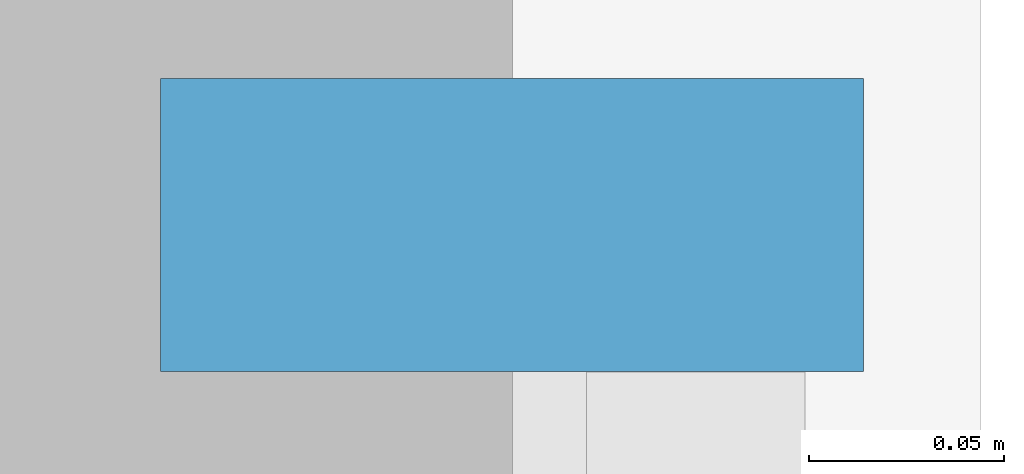
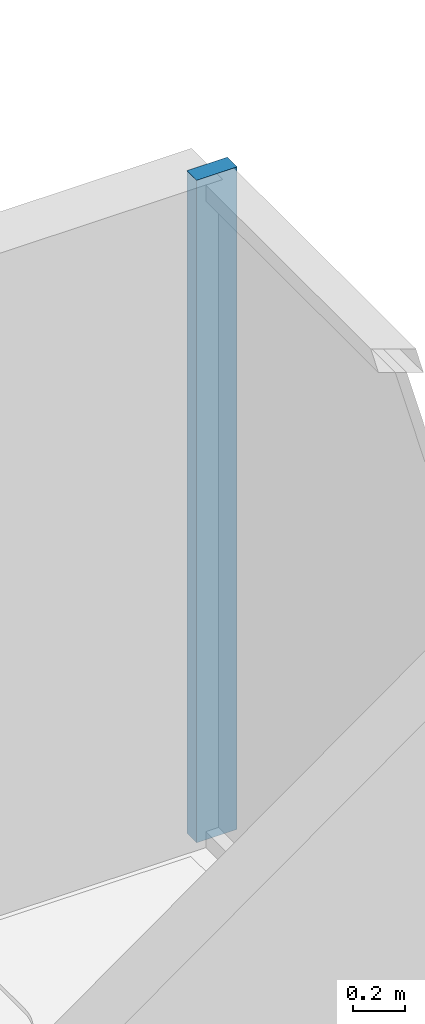
# One storey, part 6 of 13: 1 member, 1 element without a shape of its own.
"""IFC4 building model written with IfcOpenShell, lengths in metres."""

import ifcopenshell
import ifcopenshell.guid

model = None  # the IFC model being written
_history = None  # IfcOwnerHistory: only IFC2X3 demands one
_inside = {}  # id of a spatial element -> (the spatial element, [elements in it])
_under = {}  # id of a project, library or spatial element -> (it, [spatial elements below it])
_declared = {}  # id of a project -> (the project, [libraries it declares])
_typed = {}  # id of a type object -> (the type object, [elements of that type])
_made_of = {}  # id of a material, layer set ... -> (it, [elements and type objects made of it])


def new_model(schema):
    """Start an empty IFC model of exactly this schema.

    Asked for "IFC4X3", IfcOpenShell would pick the latest addendum, in which some entities
    have other attributes; the version numbers below select the first issue.
    IFC2X3 requires an IfcOwnerHistory on every rooted entity: one is made here for all.
    """
    global model, _history
    if schema == "IFC4X3":
        model = ifcopenshell.file(schema_version=(4, 3, 0, 0))
    else:
        model = ifcopenshell.file(schema=schema)
    _inside.clear()
    _under.clear()
    _declared.clear()
    _typed.clear()
    _made_of.clear()
    _history = None
    if model.schema == "IFC2X3":
        org = make("IfcOrganization", Name="unknown")
        user = make(
            "IfcPersonAndOrganization",
            ThePerson=make("IfcPerson", FamilyName="unknown"),
            TheOrganization=org,
        )
        app = make(
            "IfcApplication",
            ApplicationDeveloper=org,
            Version="unknown",
            ApplicationFullName="unknown",
            ApplicationIdentifier="unknown",
        )
        _history = make(
            "IfcOwnerHistory",
            OwningUser=user,
            OwningApplication=app,
            ChangeAction="ADDED",
            CreationDate=0,
        )
    return model


def make(cls, **values):
    """One entity of the class cls with the attributes given. An attribute that is None is left unset."""
    return model.create_entity(
        cls, **{name: value for name, value in values.items() if value is not None}
    )


def rooted(cls, **values):
    """An entity with a GlobalId (a new one), such as an element, a storey or a relation."""
    return make(cls, GlobalId=ifcopenshell.guid.new(), OwnerHistory=_history, **values)


def si_unit(unit_type, name, prefix=None):
    """IfcSIUnit, for example si_unit("LENGTHUNIT", "METRE", prefix="MILLI")."""
    return make("IfcSIUnit", UnitType=unit_type, Prefix=prefix, Name=name)


def assignment(units):
    """IfcUnitAssignment: the units of a project."""
    return None if units is None else make("IfcUnitAssignment", Units=units)


def point(xyz):
    """IfcCartesianPoint."""
    return None if xyz is None else make("IfcCartesianPoint", Coordinates=xyz)


def direction(xyz):
    """IfcDirection."""
    return None if xyz is None else make("IfcDirection", DirectionRatios=xyz)


def frame(location, z_axis=None, x_axis=None):
    """IfcAxis2Placement3D, a coordinate frame: its origin and axes. An axis left out is left unset."""
    return make(
        "IfcAxis2Placement3D",
        Location=point(location),
        Axis=direction(z_axis),
        RefDirection=direction(x_axis),
    )


def frame_2d(location, x_axis=None):
    """IfcAxis2Placement2D, a coordinate frame in the plane: its origin and x axis."""
    return make(
        "IfcAxis2Placement2D", Location=point(location), RefDirection=direction(x_axis)
    )


def origin():
    """The frame at (0, 0, 0) with its axes left unset."""
    return frame((0.0, 0.0, 0.0))


def origin_2d():
    """The frame at (0, 0) in the plane with its x axis left unset."""
    return frame_2d((0.0, 0.0))


def place(relative_to, where):
    """IfcLocalPlacement: puts the frame where relative to a parent placement (None: the world)."""
    return make(
        "IfcLocalPlacement", PlacementRelTo=relative_to, RelativePlacement=where
    )


def context(
    kind, dimensions, precision=None, world=None, true_north=None, identifier=None
):
    """IfcGeometricRepresentationContext, for example the 3D "Model" context."""
    return make(
        "IfcGeometricRepresentationContext",
        ContextIdentifier=identifier,
        ContextType=kind,
        CoordinateSpaceDimension=dimensions,
        Precision=precision,
        WorldCoordinateSystem=world,
        TrueNorth=true_north,
    )


def subcontext(parent, identifier, kind, view, scale=None):
    """IfcGeometricRepresentationSubContext, for example "Body" below "Model"."""
    return make(
        "IfcGeometricRepresentationSubContext",
        ContextIdentifier=identifier,
        ContextType=kind,
        ParentContext=parent,
        TargetScale=scale,
        TargetView=view,
    )


def project(units=None, contexts=None):
    """IfcProject with its units and contexts."""
    return rooted(
        "IfcProject",
        Name="project",
        RepresentationContexts=contexts,
        UnitsInContext=assignment(units),
    )


def spatial(cls, under=None, at=None, **own):
    """A site, building, storey or space (cls), placed at a placement, below another one or the project."""
    s = rooted(cls, ObjectPlacement=at, **own)
    if under is not None:
        _under.setdefault(under.id(), (under, []))[1].append(s)
    return s


def profile(cls, at=None, kind="AREA", **sizes):
    """A parametric profile (cls). Its sizes go by their IFC names, for example OverallWidth=200.0."""
    return make(cls, ProfileType=kind, Position=at, **sizes)


def rectangle(**sizes):
    """IfcRectangleProfileDef."""
    return profile("IfcRectangleProfileDef", **sizes)


def extrude(swept, where, along, depth):
    """IfcExtrudedAreaSolid: the profile swept, set in the frame where, extruded along a direction by depth."""
    return make(
        "IfcExtrudedAreaSolid",
        SweptArea=swept,
        Position=where,
        ExtrudedDirection=direction(along),
        Depth=depth,
    )


def shape(context_of_items, identifier, shape_type, items):
    """IfcShapeRepresentation: the items that make up one representation, for example the "Body"."""
    return make(
        "IfcShapeRepresentation",
        ContextOfItems=context_of_items,
        RepresentationIdentifier=identifier,
        RepresentationType=shape_type,
        Items=items,
    )


def source(mapping_origin, context_of_items, identifier, shape_type, items):
    """IfcRepresentationMap: a shape defined once, which mapped items show again and again."""
    return make(
        "IfcRepresentationMap",
        MappingOrigin=mapping_origin,
        MappedRepresentation=shape(context_of_items, identifier, shape_type, items),
    )


def transform(
    local_origin,
    x_axis=None,
    y_axis=None,
    z_axis=None,
    scale=None,
    scale2=None,
    scale3=None,
    uniform=True,
):
    """IfcCartesianTransformationOperator3D, or its non-uniform kind. x_axis, y_axis, z_axis: its Axis1, 2, 3."""
    if uniform:
        return make(
            "IfcCartesianTransformationOperator3D",
            Axis1=direction(x_axis),
            Axis2=direction(y_axis),
            LocalOrigin=point(local_origin),
            Scale=scale,
            Axis3=direction(z_axis),
        )
    return make(
        "IfcCartesianTransformationOperator3DnonUniform",
        Axis1=direction(x_axis),
        Axis2=direction(y_axis),
        LocalOrigin=point(local_origin),
        Scale=scale,
        Axis3=direction(z_axis),
        Scale2=scale2,
        Scale3=scale3,
    )


def mapped(mapping_source, mapping_target):
    """IfcMappedItem: shows the shape of a source again, moved by a transform."""
    return make(
        "IfcMappedItem", MappingSource=mapping_source, MappingTarget=mapping_target
    )


def material(Name=None, Category=None):
    """IfcMaterial."""
    return make("IfcMaterial", Name=Name, Category=Category)


def layer(
    of_material, thickness, ventilated=None, Name=None, Category=None, Priority=None
):
    """IfcMaterialLayer: one layer of a wall or slab, of a material (None: an air gap)."""
    return make(
        "IfcMaterialLayer",
        Material=of_material,
        LayerThickness=thickness,
        IsVentilated=ventilated,
        Name=Name,
        Category=Category,
        Priority=Priority,
    )


def layer_set(layers, Name=None):
    """IfcMaterialLayerSet."""
    return make("IfcMaterialLayerSet", MaterialLayers=layers, LayerSetName=Name)


def material_profile(
    of_material, cross_section, Name=None, Category=None, Priority=None
):
    """IfcMaterialProfile: a cross section and its material."""
    return make(
        "IfcMaterialProfile",
        Name=Name,
        Material=of_material,
        Profile=cross_section,
        Priority=Priority,
        Category=Category,
    )


def profile_set(profiles, Name=None, composite=None):
    """IfcMaterialProfileSet."""
    return make(
        "IfcMaterialProfileSet",
        Name=Name,
        MaterialProfiles=profiles,
        CompositeProfile=composite,
    )


def made_of(thing, what):
    """Note that an element or type object is made of a material, layer set ...; save() writes the relation."""
    if what is not None:
        _made_of.setdefault(what.id(), (what, []))[1].append(thing)
    return thing


def type_object(cls, material=None, **own):
    """A type object (cls), such as IfcWallType, which elements share."""
    return made_of(rooted(cls, **own), material)


def element(
    cls,
    number,
    at=None,
    inside=None,
    cuts=None,
    type_object=None,
    material=None,
    context=None,
    identifier="Body",
    shape_type=None,
    held_by="IfcProductDefinitionShape",
    body=None,
    shapes=None,
    **own,
):
    """One element of the class cls, such as IfcWall. Its Tag is "e" and its number.

    at: its placement. inside: the storey or other place that contains it. cuts: it is an
    opening in that element (IfcRelVoidsElement). A single representation is given by context,
    identifier, shape_type and body (its items); several are given by shapes. held_by: the class
    of the entity that holds the representations. save() writes the other relations.
    """
    e = rooted(cls, Tag="e%d" % number, ObjectPlacement=at, **own)
    if body is not None:
        shapes = [shape(context, identifier, shape_type, body)]
    if shapes is not None:
        e.Representation = make(held_by, Representations=shapes)
    if inside is not None:
        _inside.setdefault(inside.id(), (inside, []))[1].append(e)
    if cuts is not None:
        rooted(
            "IfcRelVoidsElement", RelatingBuildingElement=cuts, RelatedOpeningElement=e
        )
    if type_object is not None:
        _typed.setdefault(type_object.id(), (type_object, []))[1].append(e)
    return made_of(e, material)


def aggregate(whole, parts):
    """IfcRelAggregates: a whole, such as a stair, and the parts it consists of."""
    return rooted("IfcRelAggregates", RelatingObject=whole, RelatedObjects=parts)


def save(model, path):
    """Write the relations noted so far, then the file.

    IfcRelAggregates (storeys below a building ...), IfcRelContainedInSpatialStructure (elements
    in a storey), IfcRelDefinesByType, IfcRelAssociatesMaterial and IfcRelDeclares: one each for
    every whole, place, type object, material and project.
    """
    for whole, parts in _under.values():
        aggregate(whole, parts)
    for where, things in _inside.values():
        rooted(
            "IfcRelContainedInSpatialStructure",
            RelatedElements=things,
            RelatingStructure=where,
        )
    for kind, things in _typed.values():
        rooted("IfcRelDefinesByType", RelatedObjects=things, RelatingType=kind)
    for what, things in _made_of.values():
        rooted("IfcRelAssociatesMaterial", RelatedObjects=things, RelatingMaterial=what)
    for by, libraries in _declared.values():
        rooted("IfcRelDeclares", RelatingContext=by, RelatedDefinitions=libraries)
    model.write(path)


model = new_model("IFC4")

# Units and contexts
model_context = context("Model", 3, precision=1e-05, world=origin(), true_north=direction((0.0, 1.0)))
body_context = subcontext(model_context, "Body", "Model", "MODEL_VIEW")
ifc_project = project(units=[si_unit("LENGTHUNIT", "METRE"), si_unit("AREAUNIT", "SQUARE_METRE"), si_unit("VOLUMEUNIT", "CUBIC_METRE"), si_unit("PLANEANGLEUNIT", "RADIAN"), si_unit("MASSUNIT", "GRAM", prefix="KILO")], contexts=[model_context])

# Site, building, storey
site_placement = place(None, origin())
site = spatial("IfcSite", under=ifc_project, at=site_placement, CompositionType="ELEMENT")
building_placement = place(site_placement, origin())
building = spatial("IfcBuilding", under=site, at=building_placement, Name="Qianlan Lanfeng Residences", CompositionType="ELEMENT")
storey_placement = place(building_placement, frame((0.0, 0.0, 142.5)))
storey = spatial("IfcBuildingStorey", under=building, at=storey_placement, Name="L38", CompositionType="ELEMENT", Elevation=142.5)

# Curtain wall, member
ifc_material = material(Name="Anodised Bronze Aluminium 6063-T6", Category="aluminium")
ifc_layer = layer(ifc_material, 0.219970703125)
ifc_layer_set = layer_set([ifc_layer], Name="Anodised Bronze Aluminium 6063-T6")
curtain_wall_type = type_object("IfcCurtainWallType", Name="CW-04", PredefinedType="NOTDEFINED", material=ifc_layer_set)
curtain_wall_placement = place(storey_placement, origin())
curtain_wall = element("IfcCurtainWall", 1, at=curtain_wall_placement, inside=storey, type_object=curtain_wall_type, Name="L38 Unitised Curtain Wall CWR-L38-05 (CW-04)", PredefinedType="NOTDEFINED")
ifc_material_profile = material_profile(ifc_material, rectangle(XDim=0.074951171875, YDim=0.179931640625, at=origin_2d()), Name="ALU MULLION 75x180")
ifc_profile_set = profile_set([ifc_material_profile], Name="Anodised Bronze Aluminium 6063-T6")
member_type = type_object("IfcMemberType", Name="CWM-180", PredefinedType="MULLION", material=ifc_profile_set)
shared_shape = source(origin(), body_context, "Body", "SweptSolid", [
    extrude(rectangle(XDim=0.074951171875, YDim=0.179931640625, at=origin_2d()), origin(), (0.0, 0.0, 1.0), 3.10009765625),
])
member_placement = place(storey_placement, frame((48.679931640625, 35.892578125, 0.0), z_axis=(0.0, 0.0, 1.0), x_axis=(0.0, 1.0, 0.0)))
member = element("IfcMember", 2, at=member_placement, type_object=member_type, Name="CWR-L38-05 Mullion 3", PredefinedType="MULLION", context=body_context, shape_type="MappedRepresentation", body=[
    mapped(shared_shape, transform((0.0, 0.0, 0.0), scale=1.0)),
])
aggregate(curtain_wall, [member])

save(model, "model.ifc")
